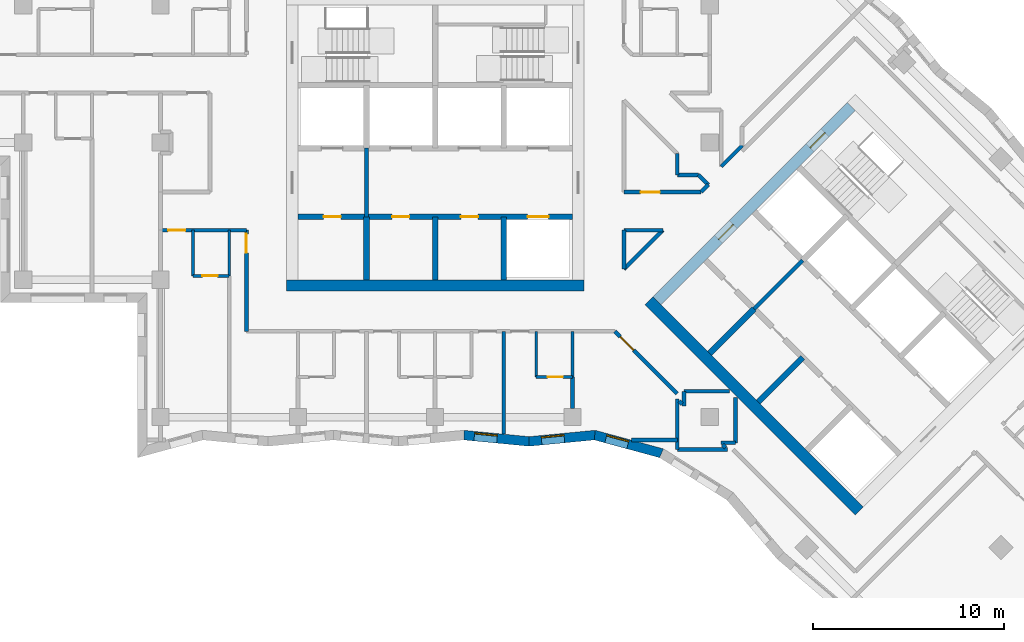
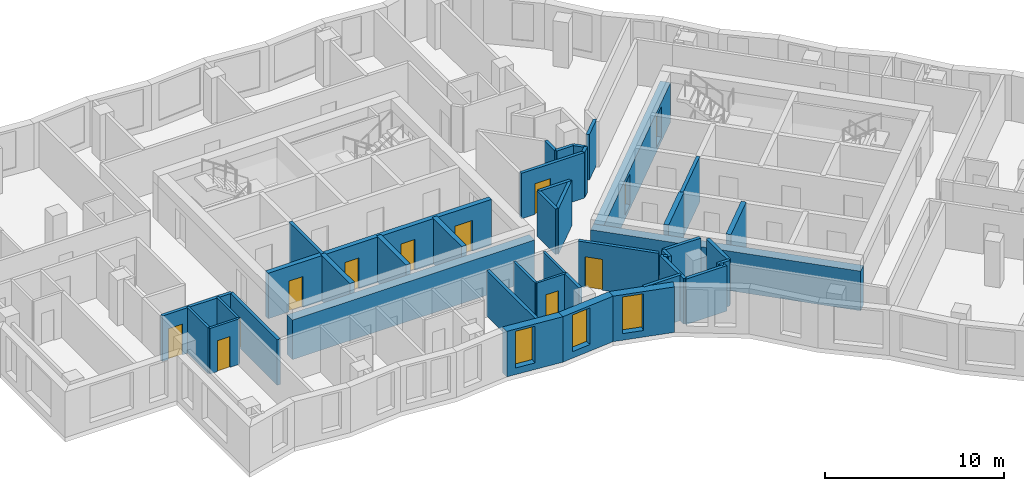
# One storey, part 3 of 12: 43 walls, 12 doors, 3 windows, 15 openings.
"""IFC4 building model written with IfcOpenShell, lengths in metres."""

from ifc_helpers import new_model, si_unit, direction, frame, frame_2d, origin, place, context, subcontext, project, spatial, polyline, rectangle, outline, extrude, material, layer, layer_set, type_object, element, fill, save


model = new_model("IFC4")

# Units and contexts
model_context = context("Model", 3, precision=1e-05, world=origin(), true_north=direction((0.0, 1.0)))
body_context = subcontext(model_context, "Body", "Model", "MODEL_VIEW")
ifc_project = project(units=[si_unit("LENGTHUNIT", "METRE"), si_unit("AREAUNIT", "SQUARE_METRE"), si_unit("VOLUMEUNIT", "CUBIC_METRE"), si_unit("PLANEANGLEUNIT", "RADIAN"), si_unit("MASSUNIT", "GRAM", prefix="KILO")], contexts=[model_context])

# Site, building, storey
site_placement = place(None, origin())
site = spatial("IfcSite", under=ifc_project, at=site_placement, CompositionType="ELEMENT")
building_placement = place(site_placement, origin())
building = spatial("IfcBuilding", under=site, at=building_placement, Name="Windrow Commons", CompositionType="ELEMENT")
storey_placement = place(building_placement, frame((0.0, 0.0, 138.8)))
storey = spatial("IfcBuildingStorey", under=building, at=storey_placement, Name="L37", CompositionType="ELEMENT", Elevation=138.8)

# Wall, opening, window
ifc_material_1 = material(Name="Brick masonry, red clay brick", Category="masonry")
ifc_layer_1 = layer(ifc_material_1, 0.5)
ifc_layer_set_1 = layer_set([ifc_layer_1], Name="Brick facade wall 500")
wall_type_1 = type_object("IfcWallType", Name="Brick facade wall 500", PredefinedType="SOLIDWALL", material=ifc_layer_set_1)
wall_1_placement = place(storey_placement, frame((66.3067, 42.2512, 0.0), z_axis=(0.0, 0.0, 1.0), x_axis=(0.995380467, -0.096008989, 0.0)))
wall_1 = element("IfcWall", 1, at=wall_1_placement, inside=storey, type_object=wall_type_1, Name="Brick facade wall L37 47", PredefinedType="SOLIDWALL", context=body_context, shape_type="SweptSolid", body=[
    extrude(outline(polyline([(0.0241, -0.25), (3.4613, -0.25), (3.4131, 0.25), (-0.0241, 0.25), (0.0241, -0.25)])), origin(), (0.0, 0.0, 1.0), 3.1),
])
opening_1_placement = place(wall_1_placement, frame((0.5515, 0.0, 0.45)))
opening_1 = element("IfcOpeningElement", 2, at=opening_1_placement, cuts=wall_1, Name="Opening W7E", PredefinedType="OPENING", context=body_context, shape_type="SweptSolid", body=[
    extrude(rectangle(XDim=1.2, YDim=2.5, at=frame_2d((0.6, 1.25))), frame((0.0, 0.26, 0.0), z_axis=(0.0, -1.0, 0.0), x_axis=(1.0, 0.0, 0.0)), (0.0, 0.0, 1.0), 0.52),
])
ifc_material_2 = material(Name="Clear float glass in anodised aluminium frame", Category="aluminium")
window_type = type_object("IfcWindowType", Name="Window W7 notch 1200x2500", PartitioningType="SINGLE_PANEL", PredefinedType="WINDOW", material=ifc_material_2)
window_1_placement = place(opening_1_placement, origin())
window_1 = element("IfcWindow", 3, at=window_1_placement, inside=storey, type_object=window_type, Name="Window L37 47.1", OverallHeight=2.5, OverallWidth=1.2, PartitioningType="SINGLE_PANEL", PredefinedType="WINDOW", context=body_context, shape_type="SweptSolid", body=[
    extrude(rectangle(XDim=1.2, YDim=2.5, at=frame_2d((0.6, 1.25))), frame((0.0, 0.18, 0.0), z_axis=(0.0, -1.0, 0.0), x_axis=(1.0, 0.0, 0.0)), (0.0, 0.0, 1.0), 0.06),
])
fill(opening_1, window_1)

wall_2_placement = place(storey_placement, frame((69.728, 41.9212, 0.0), z_axis=(0.0, 0.0, 1.0), x_axis=(0.9953825051, 0.0959878563, 0.0)))
wall_2 = element("IfcWall", 4, at=wall_2_placement, inside=storey, type_object=wall_type_1, Name="Brick facade wall L37 48", PredefinedType="SOLIDWALL", context=body_context, shape_type="SweptSolid", body=[
    extrude(outline(polyline([(-0.0241, -0.25), (3.4131, -0.25), (3.5045, 0.25), (0.0241, 0.25), (-0.0241, -0.25)])), origin(), (0.0, 0.0, 1.0), 3.1),
])
opening_2_placement = place(wall_2_placement, frame((0.6533, 0.0, 0.45)))
opening_2 = element("IfcOpeningElement", 5, at=opening_2_placement, cuts=wall_2, Name="Opening W7E", PredefinedType="OPENING", context=body_context, shape_type="SweptSolid", body=[
    extrude(rectangle(XDim=1.2, YDim=2.5, at=frame_2d((0.6, 1.25))), frame((0.0, 0.26, 0.0), z_axis=(0.0, -1.0, 0.0), x_axis=(1.0, 0.0, 0.0)), (0.0, 0.0, 1.0), 0.52),
])
window_2_placement = place(opening_2_placement, origin())
window_2 = element("IfcWindow", 6, at=window_2_placement, inside=storey, type_object=window_type, Name="Window L37 48.1", OverallHeight=2.5, OverallWidth=1.2, PartitioningType="SINGLE_PANEL", PredefinedType="WINDOW", context=body_context, shape_type="SweptSolid", body=[
    extrude(rectangle(XDim=1.2, YDim=2.5, at=frame_2d((0.6, 1.25))), frame((0.0, 0.18, 0.0), z_axis=(0.0, -1.0, 0.0), x_axis=(1.0, 0.0, 0.0)), (0.0, 0.0, 1.0), 0.06),
])
fill(opening_2, window_2)

wall_3_placement = place(storey_placement, frame((73.1708, 42.2532, 0.0), z_axis=(0.0, 0.0, 1.0), x_axis=(0.9649873507, -0.2622964218, 0.0)))
wall_3 = element("IfcWall", 7, at=wall_3_placement, inside=storey, type_object=wall_type_1, Name="Brick facade wall L37 49", PredefinedType="SOLIDWALL", context=body_context, shape_type="SweptSolid", body=[
    extrude(outline(polyline([(0.0457, -0.25), (3.5912, -0.25), (3.6655, 0.25), (-0.0457, 0.25), (0.0457, -0.25)])), origin(), (0.0, 0.0, 1.0), 3.1),
])
opening_3_placement = place(wall_3_placement, frame((0.6087, 0.0, 0.45)))
opening_3 = element("IfcOpeningElement", 8, at=opening_3_placement, cuts=wall_3, Name="Opening W7E", PredefinedType="OPENING", context=body_context, shape_type="SweptSolid", body=[
    extrude(rectangle(XDim=1.2, YDim=2.5, at=frame_2d((0.6, 1.25))), frame((0.0, 0.26, 0.0), z_axis=(0.0, -1.0, 0.0), x_axis=(1.0, 0.0, 0.0)), (0.0, 0.0, 1.0), 0.52),
])
window_3_placement = place(opening_3_placement, origin())
window_3 = element("IfcWindow", 9, at=window_3_placement, inside=storey, type_object=window_type, Name="Window L37 49.1", OverallHeight=2.5, OverallWidth=1.2, PartitioningType="SINGLE_PANEL", PredefinedType="WINDOW", context=body_context, shape_type="SweptSolid", body=[
    extrude(rectangle(XDim=1.2, YDim=2.5, at=frame_2d((0.6, 1.25))), frame((0.0, 0.18, 0.0), z_axis=(0.0, -1.0, 0.0), x_axis=(1.0, 0.0, 0.0)), (0.0, 0.0, 1.0), 0.06),
])
fill(opening_3, window_3)

# Walls
ifc_material_3 = material(Name="Blockwork partition", Category="masonry")
ifc_layer_2 = layer(ifc_material_3, 0.2)
ifc_layer_set_2 = layer_set([ifc_layer_2], Name="Fire lobby partition 200")
wall_type_2 = type_object("IfcWallType", Name="Fire lobby partition 200", PredefinedType="PARTITIONING", material=ifc_layer_set_2)
for number, where, z_axis, x_axis, name in (
    (10, (61.2, 53.7, 0.0), (0.0, 0.0, 1.0), (0.0, 1.0, 0.0), "W-core-lobby-A-L37"),
    (11, (81.5335, 48.8776, 0.0), (0.0, 0.0, 1.0), (0.707092892, 0.7071206701, 0.0), "W-core-lobby-B-L37"),
):
    element("IfcWall", number, at=place(storey_placement, frame(where, z_axis=z_axis, x_axis=x_axis)), inside=storey, type_object=wall_type_2, Name=name, PredefinedType="PARTITIONING", context=body_context, shape_type="SweptSolid", body=[
        extrude(rectangle(XDim=3.6, YDim=0.2, at=frame_2d((1.8, 0.0))), origin(), (0.0, 0.0, 1.0), 3.1),
    ])

# Wall, opening, door
ifc_material_4 = material(Name="Blockwork partition", Category="masonry")
ifc_layer_3 = layer(ifc_material_4, 0.2)
ifc_layer_set_3 = layer_set([ifc_layer_3], Name="IW-CORRIDOR-200")
wall_type_3 = type_object("IfcWallType", Name="IW-CORRIDOR-200", PredefinedType="PARTITIONING", material=ifc_layer_set_3)
wall_4_placement = place(storey_placement, frame((54.9, 47.7, 0.0), z_axis=(0.0, 0.0, 1.0), x_axis=(0.0, 1.0, 0.0)))
wall_4 = element("IfcWall", 12, at=wall_4_placement, inside=storey, type_object=wall_type_3, Name="W-L37-W031", PredefinedType="PARTITIONING", context=body_context, shape_type="SweptSolid", body=[
    extrude(rectangle(XDim=5.3, YDim=0.2, at=frame_2d((2.65, 0.0))), origin(), (0.0, 0.0, 1.0), 3.1),
])
opening_4_placement = place(wall_4_placement, frame((4.1063, 0.0, 0.0)))
opening_4 = element("IfcOpeningElement", 13, at=opening_4_placement, cuts=wall_4, Name="Opening D310F", PredefinedType="OPENING", context=body_context, shape_type="SweptSolid", body=[
    extrude(rectangle(XDim=1.0, YDim=2.1, at=frame_2d((0.5, 1.05))), frame((0.0, 0.11, 0.0), z_axis=(0.0, -1.0, 0.0), x_axis=(1.0, 0.0, 0.0)), (0.0, 0.0, 1.0), 0.22),
])
ifc_material_5 = material(Name="Timber door leaf", Category="wood")
door_type_1 = type_object("IfcDoorType", Name="DT-AMENITY-1000", OperationType="SINGLE_SWING_LEFT", PredefinedType="DOOR", material=ifc_material_5)
door_1_placement = place(opening_4_placement, origin())
door_1 = element("IfcDoor", 14, at=door_1_placement, inside=storey, type_object=door_type_1, Name="D-L37-D026", OperationType="SINGLE_SWING_RIGHT", OverallHeight=2.1, OverallWidth=1.0, PredefinedType="DOOR", context=body_context, shape_type="SweptSolid", body=[
    extrude(rectangle(XDim=1.0, YDim=2.1, at=frame_2d((0.5, 1.05))), frame((0.0, 0.025, 0.0), z_axis=(0.0, -1.0, 0.0), x_axis=(1.0, 0.0, 0.0)), (0.0, 0.0, 1.0), 0.05),
])
fill(opening_4, door_1)

wall_5_placement = place(storey_placement, frame((74.2227, 47.6967, 0.0), z_axis=(0.0, 0.0, 1.0), x_axis=(0.7071067812, -0.7071067812, 0.0)))
wall_5 = element("IfcWall", 15, at=wall_5_placement, inside=storey, type_object=wall_type_3, Name="W-L37-W037", PredefinedType="PARTITIONING", context=body_context, shape_type="SweptSolid", body=[
    extrude(rectangle(XDim=4.6301, YDim=0.2, at=frame_2d((2.315, 0.0))), origin(), (0.0, 0.0, 1.0), 3.1),
])
opening_5_placement = place(wall_5_placement, frame((0.4008, 0.0, 0.0)))
opening_5 = element("IfcOpeningElement", 16, at=opening_5_placement, cuts=wall_5, Name="Opening D310F", PredefinedType="OPENING", context=body_context, shape_type="SweptSolid", body=[
    extrude(rectangle(XDim=1.0, YDim=2.1, at=frame_2d((0.5, 1.05))), frame((0.0, 0.11, 0.0), z_axis=(0.0, -1.0, 0.0), x_axis=(1.0, 0.0, 0.0)), (0.0, 0.0, 1.0), 0.22),
])
door_2_placement = place(opening_5_placement, origin())
door_2 = element("IfcDoor", 17, at=door_2_placement, inside=storey, type_object=door_type_1, Name="D-L37-D037", OperationType="SINGLE_SWING_LEFT", OverallHeight=2.1, OverallWidth=1.0, PredefinedType="DOOR", context=body_context, shape_type="SweptSolid", body=[
    extrude(rectangle(XDim=1.0, YDim=2.1, at=frame_2d((0.5, 1.05))), frame((0.0, 0.025, 0.0), z_axis=(0.0, -1.0, 0.0), x_axis=(1.0, 0.0, 0.0)), (0.0, 0.0, 1.0), 0.05),
])
fill(opening_5, door_2)

wall_6_placement = place(storey_placement, frame((50.4, 53.0, 0.0), z_axis=(0.0, 0.0, 1.0), x_axis=(1.0, 0.0, 0.0)))
wall_6 = element("IfcWall", 18, at=wall_6_placement, inside=storey, type_object=wall_type_3, Name="W-L37-W038", PredefinedType="PARTITIONING", context=body_context, shape_type="SweptSolid", body=[
    extrude(rectangle(XDim=4.5, YDim=0.2, at=frame_2d((2.25, 0.0))), origin(), (0.0, 0.0, 1.0), 3.1),
])
opening_6_placement = place(wall_6_placement, frame((0.4, 0.0, 0.0)))
opening_6 = element("IfcOpeningElement", 19, at=opening_6_placement, cuts=wall_6, Name="Opening D109S", PredefinedType="OPENING", context=body_context, shape_type="SweptSolid", body=[
    extrude(rectangle(XDim=0.9, YDim=2.1, at=frame_2d((0.45, 1.05))), frame((0.0, 0.11, 0.0), z_axis=(0.0, -1.0, 0.0), x_axis=(1.0, 0.0, 0.0)), (0.0, 0.0, 1.0), 0.22),
])
ifc_material_6 = material(Name="Timber door leaf", Category="wood")
door_type_2 = type_object("IfcDoorType", Name="DT-BEDROOM-900", OperationType="SINGLE_SWING_LEFT", PredefinedType="DOOR", material=ifc_material_6)
door_3_placement = place(opening_6_placement, origin())
door_3 = element("IfcDoor", 20, at=door_3_placement, inside=storey, type_object=door_type_2, Name="D-L37-D024", OperationType="SINGLE_SWING_LEFT", OverallHeight=2.1, OverallWidth=0.9, PredefinedType="DOOR", context=body_context, shape_type="SweptSolid", body=[
    extrude(rectangle(XDim=0.9, YDim=2.1, at=frame_2d((0.45, 1.05))), frame((0.0, 0.025, 0.0), z_axis=(0.0, -1.0, 0.0), x_axis=(1.0, 0.0, 0.0)), (0.0, 0.0, 1.0), 0.05),
])
fill(opening_6, door_3)

wall_7_placement = place(storey_placement, frame((74.702, 55.0, 0.0), z_axis=(0.0, 0.0, 1.0), x_axis=(1.0, 0.0, 0.0)))
wall_7 = element("IfcWall", 21, at=wall_7_placement, inside=storey, type_object=wall_type_3, Name="W-L37-W042", PredefinedType="PARTITIONING", context=body_context, shape_type="SweptSolid", body=[
    extrude(rectangle(XDim=4.044, YDim=0.2, at=frame_2d((2.022, 0.0))), origin(), (0.0, 0.0, 1.0), 3.1),
])
opening_7_placement = place(wall_7_placement, frame((0.8795, 0.0, 0.0)))
opening_7 = element("IfcOpeningElement", 22, at=opening_7_placement, cuts=wall_7, Name="Opening D410F", PredefinedType="OPENING", context=body_context, shape_type="SweptSolid", body=[
    extrude(rectangle(XDim=1.0, YDim=2.1, at=frame_2d((0.5, 1.05))), frame((0.0, 0.11, 0.0), z_axis=(0.0, -1.0, 0.0), x_axis=(1.0, 0.0, 0.0)), (0.0, 0.0, 1.0), 0.22),
])
ifc_material_7 = material(Name="Timber door leaf", Category="wood")
door_type_3 = type_object("IfcDoorType", Name="DT-SERVICE-1000", OperationType="SINGLE_SWING_LEFT", PredefinedType="DOOR", material=ifc_material_7)
door_4_placement = place(opening_7_placement, origin())
door_4 = element("IfcDoor", 23, at=door_4_placement, inside=storey, type_object=door_type_3, Name="D-L37-D001", OperationType="SINGLE_SWING_LEFT", OverallHeight=2.1, OverallWidth=1.0, PredefinedType="DOOR", context=body_context, shape_type="SweptSolid", body=[
    extrude(rectangle(XDim=1.0, YDim=2.1, at=frame_2d((0.5, 1.05))), frame((0.0, 0.025, 0.0), z_axis=(0.0, -1.0, 0.0), x_axis=(1.0, 0.0, 0.0)), (0.0, 0.0, 1.0), 0.05),
])
fill(opening_7, door_4)

# Walls
wall_8_placement = place(storey_placement, frame((74.7013, 50.9567, 0.0), z_axis=(0.0, 0.0, 1.0), x_axis=(0.7071067812, 0.7071067812, 0.0)))
element("IfcWall", 24, at=wall_8_placement, inside=storey, type_object=wall_type_3, Name="W-L37-W053", PredefinedType="PARTITIONING", context=body_context, shape_type="SweptSolid", body=[
    extrude(rectangle(XDim=2.8878, YDim=0.2, at=frame_2d((1.4439, 0.0))), origin(), (0.0, 0.0, 1.0), 3.1),
])
for number, where, z_axis, x_axis, name in (
    (25, (80.55, 41.852, 0.0), (0.0, 0.0, 1.0), (0.0, 1.0, 0.0), "W-L37-W093"),
    (26, (77.852, 44.55, 0.0), (0.0, 0.0, 1.0), (1.0, 0.0, 0.0), "W-L37-W094"),
):
    element("IfcWall", number, at=place(storey_placement, frame(where, z_axis=z_axis, x_axis=x_axis)), inside=storey, type_object=wall_type_3, Name=name, PredefinedType="PARTITIONING", context=body_context, shape_type="SweptSolid", body=[
        extrude(rectangle(XDim=2.38, YDim=0.2, at=frame_2d((1.19, 0.0))), origin(), (0.0, 0.0, 1.0), 3.1),
    ])
wall_9_placement = place(storey_placement, frame((74.7, 50.956, 0.0), z_axis=(0.0, 0.0, 1.0), x_axis=(0.0, 1.0, 0.0)))
element("IfcWall", 27, at=wall_9_placement, inside=storey, type_object=wall_type_3, Name="W-L37-W105", PredefinedType="PARTITIONING", context=body_context, shape_type="SweptSolid", body=[
    extrude(rectangle(XDim=2.044, YDim=0.2, at=frame_2d((1.022, 0.0))), origin(), (0.0, 0.0, 1.0), 3.1),
])
wall_10_placement = place(storey_placement, frame((74.702, 53.0, 0.0), z_axis=(0.0, 0.0, 1.0), x_axis=(1.0, 0.0, 0.0)))
element("IfcWall", 28, at=wall_10_placement, inside=storey, type_object=wall_type_3, Name="W-L37-W106", PredefinedType="PARTITIONING", context=body_context, shape_type="SweptSolid", body=[
    extrude(rectangle(XDim=2.042, YDim=0.2, at=frame_2d((1.021, 0.0))), origin(), (0.0, 0.0, 1.0), 3.1),
])
wall_11_placement = place(storey_placement, frame((79.8009, 56.3391, 0.0), z_axis=(0.0, 0.0, 1.0), x_axis=(0.7071067812, 0.7071067812, 0.0)))
element("IfcWall", 29, at=wall_11_placement, inside=storey, type_object=wall_type_3, Name="W-L37-W141", PredefinedType="PARTITIONING", context=body_context, shape_type="SweptSolid", body=[
    extrude(rectangle(XDim=1.5528, YDim=0.2, at=frame_2d((0.7764, 0.0))), origin(), (0.0, 0.0, 1.0), 3.1),
])
wall_12_placement = place(storey_placement, frame((77.5, 55.9, 0.0), z_axis=(0.0, 0.0, 1.0), x_axis=(0.0, 1.0, 0.0)))
element("IfcWall", 30, at=wall_12_placement, inside=storey, type_object=wall_type_3, Name="W-L37-W145", PredefinedType="PARTITIONING", context=body_context, shape_type="SweptSolid", body=[
    extrude(rectangle(XDim=1.112, YDim=0.2, at=frame_2d((0.556, 0.0))), origin(), (0.0, 0.0, 1.0), 3.1),
])
wall_13_placement = place(storey_placement, frame((77.502, 55.9, 0.0), z_axis=(0.0, 0.0, 1.0), x_axis=(1.0, 0.0, 0.0)))
element("IfcWall", 31, at=wall_13_placement, inside=storey, type_object=wall_type_3, Name="W-L37-W146", PredefinedType="PARTITIONING", context=body_context, shape_type="SweptSolid", body=[
    extrude(rectangle(XDim=1.11, YDim=0.2, at=frame_2d((0.555, 0.0))), origin(), (0.0, 0.0, 1.0), 3.1),
])
for number, where, z_axis, x_axis, name in (
    (32, (77.85, 43.792, 0.0), (0.0, 0.0, 1.0), (0.0, 1.0, 0.0), "W-L37-W151"),
    (33, (79.792, 41.85, 0.0), (0.0, 0.0, 1.0), (1.0, 0.0, 0.0), "W-L37-W152"),
):
    element("IfcWall", number, at=place(storey_placement, frame(where, z_axis=z_axis, x_axis=x_axis)), inside=storey, type_object=wall_type_3, Name=name, PredefinedType="PARTITIONING", context=body_context, shape_type="SweptSolid", body=[
        extrude(rectangle(XDim=0.758, YDim=0.2, at=frame_2d((0.379, 0.0))), origin(), (0.0, 0.0, 1.0), 3.1),
    ])
wall_14_placement = place(storey_placement, frame((78.6089, 55.8969, 0.0), z_axis=(0.0, 0.0, 1.0), x_axis=(0.7071067812, -0.7071067812, 0.0)))
element("IfcWall", 34, at=wall_14_placement, inside=storey, type_object=wall_type_3, Name="W-L37-W153", PredefinedType="PARTITIONING", context=body_context, shape_type="SweptSolid", body=[
    extrude(rectangle(XDim=0.7297, YDim=0.2, at=frame_2d((0.3649, 0.0))), origin(), (0.0, 0.0, 1.0), 3.1),
])
wall_15_placement = place(storey_placement, frame((78.7453, 55.0007, 0.0), z_axis=(0.0, 0.0, 1.0), x_axis=(0.7071067812, 0.7071067812, 0.0)))
element("IfcWall", 35, at=wall_15_placement, inside=storey, type_object=wall_type_3, Name="W-L37-W166", PredefinedType="PARTITIONING", context=body_context, shape_type="SweptSolid", body=[
    extrude(rectangle(XDim=0.5402, YDim=0.2, at=frame_2d((0.2701, 0.0))), origin(), (0.0, 0.0, 1.0), 3.1),
])
for number, where, z_axis, x_axis, name in (
    (36, (79.8812, 41.7553, 0.0), (0.0, 0.0, 1.0), (0.7071067812, -0.7071067812, 0.0), "W-L37-W169"),
    (37, (77.5962, 44.0403, 0.0), (0.0, 0.0, 1.0), (0.7071067812, -0.7071067812, 0.0), "W-L37-W170"),
):
    element("IfcWall", number, at=place(storey_placement, frame(where, z_axis=z_axis, x_axis=x_axis)), inside=storey, type_object=wall_type_3, Name=name, PredefinedType="PARTITIONING", context=body_context, shape_type="SweptSolid", body=[
        extrude(rectangle(XDim=0.225, YDim=0.2, at=frame_2d((0.1125, 0.0))), origin(), (0.0, 0.0, 1.0), 3.1),
    ])
ifc_material_8 = material(Name="Blockwork partition", Category="masonry")
ifc_layer_4 = layer(ifc_material_8, 0.15)
ifc_layer_set_4 = layer_set([ifc_layer_4], Name="IW-ENSUITE-150")
wall_type_4 = type_object("IfcWallType", Name="IW-ENSUITE-150", PredefinedType="PARTITIONING", material=ifc_layer_set_4)
for number, where, z_axis, x_axis, name in (
    (38, (70.1, 45.3, 0.0), (0.0, 0.0, 1.0), (0.0, 1.0, 0.0), "W-L37-W072"),
    (39, (72.0, 45.3, 0.0), (0.0, 0.0, 1.0), (0.0, 1.0, 0.0), "W-L37-W073"),
    (40, (52.1, 50.6, 0.0), (0.0, 0.0, 1.0), (0.0, 1.0, 0.0), "W-L37-W074"),
    (41, (54.0, 50.6, 0.0), (0.0, 0.0, 1.0), (0.0, 1.0, 0.0), "W-L37-W075"),
):
    element("IfcWall", number, at=place(storey_placement, frame(where, z_axis=z_axis, x_axis=x_axis)), inside=storey, type_object=wall_type_4, Name=name, PredefinedType="PARTITIONING", context=body_context, shape_type="SweptSolid", body=[
        extrude(rectangle(XDim=2.4, YDim=0.15, at=frame_2d((1.2, 0.0))), origin(), (0.0, 0.0, 1.0), 3.1),
    ])

# Wall, opening, door
wall_16_placement = place(storey_placement, frame((70.1, 45.3, 0.0), z_axis=(0.0, 0.0, 1.0), x_axis=(1.0, 0.0, 0.0)))
wall_16 = element("IfcWall", 42, at=wall_16_placement, inside=storey, type_object=wall_type_4, Name="W-L37-W120", PredefinedType="PARTITIONING", context=body_context, shape_type="SweptSolid", body=[
    extrude(rectangle(XDim=1.9, YDim=0.15, at=frame_2d((0.95, 0.0))), origin(), (0.0, 0.0, 1.0), 3.1),
])
opening_8_placement = place(wall_16_placement, frame((0.5979, 0.0, 0.0)))
opening_8 = element("IfcOpeningElement", 43, at=opening_8_placement, cuts=wall_16, Name="Opening D208N", PredefinedType="OPENING", context=body_context, shape_type="SweptSolid", body=[
    extrude(rectangle(XDim=0.8, YDim=2.1, at=frame_2d((0.4, 1.05))), frame((0.0, 0.085, 0.0), z_axis=(0.0, -1.0, 0.0), x_axis=(1.0, 0.0, 0.0)), (0.0, 0.0, 1.0), 0.17),
])
ifc_material_9 = material(Name="Timber door leaf", Category="wood")
door_type_4 = type_object("IfcDoorType", Name="DT-ENSUITE-800", OperationType="SINGLE_SWING_LEFT", PredefinedType="DOOR", material=ifc_material_9)
door_5_placement = place(opening_8_placement, origin())
door_5 = element("IfcDoor", 44, at=door_5_placement, inside=storey, type_object=door_type_4, Name="D-L37-D036", OperationType="SINGLE_SWING_RIGHT", OverallHeight=2.1, OverallWidth=0.8, PredefinedType="DOOR", context=body_context, shape_type="SweptSolid", body=[
    extrude(rectangle(XDim=0.8, YDim=2.1, at=frame_2d((0.4, 1.05))), frame((0.0, 0.025, 0.0), z_axis=(0.0, -1.0, 0.0), x_axis=(1.0, 0.0, 0.0)), (0.0, 0.0, 1.0), 0.05),
])
fill(opening_8, door_5)

wall_17_placement = place(storey_placement, frame((52.1, 50.6, 0.0), z_axis=(0.0, 0.0, 1.0), x_axis=(1.0, 0.0, 0.0)))
wall_17 = element("IfcWall", 45, at=wall_17_placement, inside=storey, type_object=wall_type_4, Name="W-L37-W125", PredefinedType="PARTITIONING", context=body_context, shape_type="SweptSolid", body=[
    extrude(rectangle(XDim=1.9, YDim=0.15, at=frame_2d((0.95, 0.0))), origin(), (0.0, 0.0, 1.0), 3.1),
])
opening_9_placement = place(wall_17_placement, frame((0.4931, 0.0, 0.0)))
opening_9 = element("IfcOpeningElement", 46, at=opening_9_placement, cuts=wall_17, Name="Opening D208N", PredefinedType="OPENING", context=body_context, shape_type="SweptSolid", body=[
    extrude(rectangle(XDim=0.8, YDim=2.1, at=frame_2d((0.4, 1.05))), frame((0.0, 0.085, 0.0), z_axis=(0.0, -1.0, 0.0), x_axis=(1.0, 0.0, 0.0)), (0.0, 0.0, 1.0), 0.17),
])
door_6_placement = place(opening_9_placement, origin())
door_6 = element("IfcDoor", 47, at=door_6_placement, inside=storey, type_object=door_type_4, Name="D-L37-D025", OperationType="SINGLE_SWING_RIGHT", OverallHeight=2.1, OverallWidth=0.8, PredefinedType="DOOR", context=body_context, shape_type="SweptSolid", body=[
    extrude(rectangle(XDim=0.8, YDim=2.1, at=frame_2d((0.4, 1.05))), frame((0.0, 0.025, 0.0), z_axis=(0.0, -1.0, 0.0), x_axis=(1.0, 0.0, 0.0)), (0.0, 0.0, 1.0), 0.05),
])
fill(opening_9, door_6)

# Walls
ifc_material_10 = material(Name="Blockwork partition", Category="masonry")
ifc_layer_5 = layer(ifc_material_10, 0.2)
ifc_layer_set_5 = layer_set([ifc_layer_5], Name="IW-PARTY-200")
wall_type_5 = type_object("IfcWallType", Name="IW-PARTY-200", PredefinedType="PARTITIONING", material=ifc_layer_set_5)
wall_18_placement = place(storey_placement, frame((68.4, 42.3004, 0.0), z_axis=(0.0, 0.0, 1.0), x_axis=(0.0, 1.0, 0.0)))
element("IfcWall", 48, at=wall_18_placement, inside=storey, type_object=wall_type_5, Name="W-L37-W029", PredefinedType="PARTITIONING", context=body_context, shape_type="SweptSolid", body=[
    extrude(rectangle(XDim=5.3996, YDim=0.2, at=frame_2d((2.6998, 0.0))), origin(), (0.0, 0.0, 1.0), 3.1),
])
for number, where, z_axis, x_axis, name in (
    (49, (77.5, 41.502, 0.0), (0.0, 0.0, 1.0), (0.0, 1.0, 0.0), "W-L37-W056"),
    (50, (77.502, 41.5, 0.0), (0.0, 0.0, 1.0), (1.0, 0.0, 0.0), "W-L37-W057"),
):
    element("IfcWall", number, at=place(storey_placement, frame(where, z_axis=z_axis, x_axis=x_axis)), inside=storey, type_object=wall_type_5, Name=name, PredefinedType="PARTITIONING", context=body_context, shape_type="SweptSolid", body=[
        extrude(rectangle(XDim=2.64, YDim=0.2, at=frame_2d((1.32, 0.0))), origin(), (0.0, 0.0, 1.0), 3.1),
    ])
wall_19_placement = place(storey_placement, frame((75.1055, 42.0, 0.0), z_axis=(0.0, 0.0, 1.0), x_axis=(1.0, 0.0, 0.0)))
element("IfcWall", 51, at=wall_19_placement, inside=storey, type_object=wall_type_5, Name="W-L37-W092", PredefinedType="PARTITIONING", context=body_context, shape_type="SweptSolid", body=[
    extrude(rectangle(XDim=2.3945, YDim=0.2, at=frame_2d((1.1972, 0.0))), origin(), (0.0, 0.0, 1.0), 3.1),
])
wall_20_placement = place(storey_placement, frame((72.0, 43.65, 0.0), z_axis=(0.0, 0.0, 1.0), x_axis=(0.0, 1.0, 0.0)))
element("IfcWall", 52, at=wall_20_placement, inside=storey, type_object=wall_type_5, Name="W-L37-W139", PredefinedType="PARTITIONING", context=body_context, shape_type="SweptSolid", body=[
    extrude(rectangle(XDim=1.65, YDim=0.2, at=frame_2d((0.825, 0.0))), origin(), (0.0, 0.0, 1.0), 3.1),
])
ifc_material_11 = material(Name="Concrete C50/60", Category="concrete")
ifc_layer_6 = layer(ifc_material_11, 0.6)
ifc_layer_set_6 = layer_set([ifc_layer_6], Name="RC CORE WALL 600 C50/60")
wall_type_6 = type_object("IfcWallType", Name="RC CORE WALL 600 C50/60", PredefinedType="SHEAR", material=ifc_layer_set_6)
for number, where, z_axis, x_axis, name in (
    (53, (57.0, 50.1, -0.3), (0.0, 0.0, 1.0), (1.0, 0.0, 0.0), "Core A wall outer-S"),
    (54, (76.018, 49.3019, -0.3), (0.0, 0.0, 1.0), (0.7071067812, -0.7071067812, 0.0), "Core B wall outer-S"),
):
    element("IfcWall", number, at=place(storey_placement, frame(where, z_axis=z_axis, x_axis=x_axis)), inside=storey, type_object=wall_type_6, Name=name, PredefinedType="SHEAR", context=body_context, shape_type="SweptSolid", body=[
        extrude(rectangle(XDim=15.6, YDim=0.6, at=frame_2d((7.8, 0.0))), origin(), (0.0, 0.0, 1.0), 2.7),
    ])

# Wall, openings, doors
wall_21_placement = place(storey_placement, frame((76.4423, 49.3019, -0.3), z_axis=(0.0, 0.0, 1.0), x_axis=(0.7071067812, 0.7071067812, 0.0)))
wall_21 = element("IfcWall", 55, at=wall_21_placement, inside=storey, type_object=wall_type_6, Name="Core B wall outer-W", PredefinedType="SHEAR", context=body_context, shape_type="SweptSolid", body=[
    extrude(rectangle(XDim=14.3999, YDim=0.6, at=frame_2d((7.2, 0.0))), origin(), (0.0, 0.0, 1.0), 2.7),
])
opening_10_placement = place(wall_21_placement, frame((4.55, 0.0, 0.3)))
opening_10 = element("IfcOpeningElement", 56, at=opening_10_placement, cuts=wall_21, Name="Opening D6", PredefinedType="OPENING", context=body_context, shape_type="SweptSolid", body=[
    extrude(rectangle(XDim=1.1, YDim=2.1, at=frame_2d((0.55, 1.05))), frame((0.0, 0.31, 0.0), z_axis=(0.0, -1.0, 0.0), x_axis=(1.0, 0.0, 0.0)), (0.0, 0.0, 1.0), 0.62),
])
opening_11_placement = place(wall_21_placement, frame((11.35, 0.0, 0.3)))
opening_11 = element("IfcOpeningElement", 57, at=opening_11_placement, cuts=wall_21, Name="Opening D7", PredefinedType="OPENING", context=body_context, shape_type="SweptSolid", body=[
    extrude(rectangle(XDim=1.1, YDim=2.1, at=frame_2d((0.55, 1.05))), frame((0.0, 0.31, 0.0), z_axis=(0.0, -1.0, 0.0), x_axis=(1.0, 0.0, 0.0)), (0.0, 0.0, 1.0), 0.62),
])
ifc_material_12 = material(Name="Steel fire door leaf", Category="steel")
door_type_5 = type_object("IfcDoorType", Name="Core lobby door 1100", OperationType="SINGLE_SWING_LEFT", PredefinedType="DOOR", material=ifc_material_12)
door_7_placement = place(opening_10_placement, origin())
door_7 = element("IfcDoor", 58, at=door_7_placement, inside=storey, type_object=door_type_5, Name="Lift lobby door", OperationType="DOUBLE_DOOR_SINGLE_SWING", OverallHeight=2.1, OverallWidth=1.1, PredefinedType="DOOR", context=body_context, shape_type="SweptSolid", body=[
    extrude(rectangle(XDim=1.1, YDim=2.1, at=frame_2d((0.55, 1.05))), frame((0.0, 0.025, 0.0), z_axis=(0.0, -1.0, 0.0), x_axis=(1.0, 0.0, 0.0)), (0.0, 0.0, 1.0), 0.05),
])
fill(opening_10, door_7)
ifc_material_13 = material(Name="Steel fire door leaf", Category="steel")
door_type_6 = type_object("IfcDoorType", Name="Stair door 1100", OperationType="SINGLE_SWING_LEFT", PredefinedType="DOOR", material=ifc_material_13)
door_8_placement = place(opening_11_placement, origin())
door_8 = element("IfcDoor", 59, at=door_8_placement, inside=storey, type_object=door_type_6, Name="Stair door", OperationType="SINGLE_SWING_LEFT", OverallHeight=2.1, OverallWidth=1.1, PredefinedType="DOOR", context=body_context, shape_type="SweptSolid", body=[
    extrude(rectangle(XDim=1.1, YDim=2.1, at=frame_2d((0.55, 1.05))), frame((0.0, 0.025, 0.0), z_axis=(0.0, -1.0, 0.0), x_axis=(1.0, 0.0, 0.0)), (0.0, 0.0, 1.0), 0.05),
])
fill(opening_11, door_8)

# Walls
ifc_material_14 = material(Name="Concrete C50/60", Category="concrete")
ifc_layer_7 = layer(ifc_material_14, 0.3)
ifc_layer_set_7 = layer_set([ifc_layer_7], Name="RC SHAFT WALL 300 C50/60")
wall_type_7 = type_object("IfcWallType", Name="RC SHAFT WALL 300 C50/60", PredefinedType="SOLIDWALL", material=ifc_layer_set_7)
for number, where, z_axis, x_axis, name in (
    (60, (61.2, 50.4, 0.0), (0.0, 0.0, 1.0), (0.0, 1.0, 0.0), "Core A wall shaft-S1"),
    (61, (64.8, 50.4, 0.0), (0.0, 0.0, 1.0), (0.0, 1.0, 0.0), "Core A wall shaft-S2"),
    (62, (68.4, 50.4, 0.0), (0.0, 0.0, 1.0), (0.0, 1.0, 0.0), "Core A wall shaft-S3"),
):
    element("IfcWall", number, at=place(storey_placement, frame(where, z_axis=z_axis, x_axis=x_axis)), inside=storey, type_object=wall_type_7, Name=name, PredefinedType="SOLIDWALL", context=body_context, shape_type="SweptSolid", body=[
        extrude(rectangle(XDim=3.3, YDim=0.3, at=frame_2d((1.65, 0.0))), origin(), (0.0, 0.0, 1.0), 3.1),
    ])

# Wall, openings, doors
wall_22_placement = place(storey_placement, frame((57.6, 53.7, 0.0), z_axis=(0.0, 0.0, 1.0), x_axis=(1.0, 0.0, 0.0)))
wall_22 = element("IfcWall", 63, at=wall_22_placement, inside=storey, type_object=wall_type_7, Name="Core A wall lobby-S", PredefinedType="SOLIDWALL", context=body_context, shape_type="SweptSolid", body=[
    extrude(rectangle(XDim=14.4, YDim=0.3, at=frame_2d((7.2, 0.0))), origin(), (0.0, 0.0, 1.0), 3.1),
])
opening_12_placement = place(wall_22_placement, frame((1.35, 0.0, 0.0)))
opening_12 = element("IfcOpeningElement", 64, at=opening_12_placement, cuts=wall_22, Name="Opening D8", PredefinedType="OPENING", context=body_context, shape_type="SweptSolid", body=[
    extrude(rectangle(XDim=0.9, YDim=2.1, at=frame_2d((0.45, 1.05))), frame((0.0, 0.16, 0.0), z_axis=(0.0, -1.0, 0.0), x_axis=(1.0, 0.0, 0.0)), (0.0, 0.0, 1.0), 0.32),
])
opening_13_placement = place(wall_22_placement, frame((4.95, 0.0, 0.0)))
opening_13 = element("IfcOpeningElement", 65, at=opening_13_placement, cuts=wall_22, Name="Opening D8", PredefinedType="OPENING", context=body_context, shape_type="SweptSolid", body=[
    extrude(rectangle(XDim=0.9, YDim=2.1, at=frame_2d((0.45, 1.05))), frame((0.0, 0.16, 0.0), z_axis=(0.0, -1.0, 0.0), x_axis=(1.0, 0.0, 0.0)), (0.0, 0.0, 1.0), 0.32),
])
opening_14_placement = place(wall_22_placement, frame((8.55, 0.0, 0.0)))
opening_14 = element("IfcOpeningElement", 66, at=opening_14_placement, cuts=wall_22, Name="Opening D8", PredefinedType="OPENING", context=body_context, shape_type="SweptSolid", body=[
    extrude(rectangle(XDim=0.9, YDim=2.1, at=frame_2d((0.45, 1.05))), frame((0.0, 0.16, 0.0), z_axis=(0.0, -1.0, 0.0), x_axis=(1.0, 0.0, 0.0)), (0.0, 0.0, 1.0), 0.32),
])
opening_15_placement = place(wall_22_placement, frame((12.05, 0.0, 0.0)))
opening_15 = element("IfcOpeningElement", 67, at=opening_15_placement, cuts=wall_22, Name="Opening LD", PredefinedType="OPENING", context=body_context, shape_type="SweptSolid", body=[
    extrude(rectangle(XDim=1.1, YDim=2.1, at=frame_2d((0.55, 1.05))), frame((0.0, 0.16, 0.0), z_axis=(0.0, -1.0, 0.0), x_axis=(1.0, 0.0, 0.0)), (0.0, 0.0, 1.0), 0.32),
])
ifc_material_15 = material(Name="Steel fire door leaf", Category="steel")
door_type_7 = type_object("IfcDoorType", Name="Core store door 900", OperationType="SINGLE_SWING_LEFT", PredefinedType="DOOR", material=ifc_material_15)
door_9_placement = place(opening_12_placement, origin())
door_9 = element("IfcDoor", 68, at=door_9_placement, inside=storey, type_object=door_type_7, Name="Store door", OperationType="SINGLE_SWING_LEFT", OverallHeight=2.1, OverallWidth=0.9, PredefinedType="DOOR", context=body_context, shape_type="SweptSolid", body=[
    extrude(rectangle(XDim=0.9, YDim=2.1, at=frame_2d((0.45, 1.05))), frame((0.0, 0.025, 0.0), z_axis=(0.0, -1.0, 0.0), x_axis=(1.0, 0.0, 0.0)), (0.0, 0.0, 1.0), 0.05),
])
fill(opening_12, door_9)
door_10_placement = place(opening_13_placement, origin())
door_10 = element("IfcDoor", 69, at=door_10_placement, inside=storey, type_object=door_type_7, Name="Store door", OperationType="SINGLE_SWING_LEFT", OverallHeight=2.1, OverallWidth=0.9, PredefinedType="DOOR", context=body_context, shape_type="SweptSolid", body=[
    extrude(rectangle(XDim=0.9, YDim=2.1, at=frame_2d((0.45, 1.05))), frame((0.0, 0.025, 0.0), z_axis=(0.0, -1.0, 0.0), x_axis=(1.0, 0.0, 0.0)), (0.0, 0.0, 1.0), 0.05),
])
fill(opening_13, door_10)
door_11_placement = place(opening_14_placement, origin())
door_11 = element("IfcDoor", 70, at=door_11_placement, inside=storey, type_object=door_type_7, Name="Store door", OperationType="SINGLE_SWING_LEFT", OverallHeight=2.1, OverallWidth=0.9, PredefinedType="DOOR", context=body_context, shape_type="SweptSolid", body=[
    extrude(rectangle(XDim=0.9, YDim=2.1, at=frame_2d((0.45, 1.05))), frame((0.0, 0.025, 0.0), z_axis=(0.0, -1.0, 0.0), x_axis=(1.0, 0.0, 0.0)), (0.0, 0.0, 1.0), 0.05),
])
fill(opening_14, door_11)
ifc_material_16 = material(Name="Stainless steel door leaf", Category="steel")
door_type_8 = type_object("IfcDoorType", Name="Lift landing door 1100", OperationType="SLIDING_TO_LEFT", PredefinedType="DOOR", material=ifc_material_16)
door_12_placement = place(opening_15_placement, origin())
door_12 = element("IfcDoor", 71, at=door_12_placement, inside=storey, type_object=door_type_8, Name="Lift landing door", OperationType="SLIDING_TO_RIGHT", OverallHeight=2.1, OverallWidth=1.1, PredefinedType="DOOR", context=body_context, shape_type="SweptSolid", body=[
    extrude(rectangle(XDim=1.1, YDim=2.1, at=frame_2d((0.55, 1.05))), frame((0.0, 0.025, 0.0), z_axis=(0.0, -1.0, 0.0), x_axis=(1.0, 0.0, 0.0)), (0.0, 0.0, 1.0), 0.05),
])
fill(opening_15, door_12)

# Walls
wall_23_placement = place(storey_placement, frame((79.2, 46.5442, 0.0), z_axis=(0.0, 0.0, 1.0), x_axis=(0.7071219326, 0.7070916295, 0.0)))
element("IfcWall", 72, at=wall_23_placement, inside=storey, type_object=wall_type_7, Name="Core B wall shaft-S1", PredefinedType="SOLIDWALL", context=body_context, shape_type="SweptSolid", body=[
    extrude(rectangle(XDim=3.3, YDim=0.3, at=frame_2d((1.65, 0.0))), origin(), (0.0, 0.0, 1.0), 3.1),
])
wall_24_placement = place(storey_placement, frame((81.7456, 43.9986, 0.0), z_axis=(0.0, 0.0, 1.0), x_axis=(0.7071067812, 0.7071067812, 0.0)))
element("IfcWall", 73, at=wall_24_placement, inside=storey, type_object=wall_type_7, Name="Core B wall shaft-S2", PredefinedType="SOLIDWALL", context=body_context, shape_type="SweptSolid", body=[
    extrude(rectangle(XDim=3.2999, YDim=0.3, at=frame_2d((1.65, 0.0))), origin(), (0.0, 0.0, 1.0), 3.1),
])

save(model, "model.ifc")
